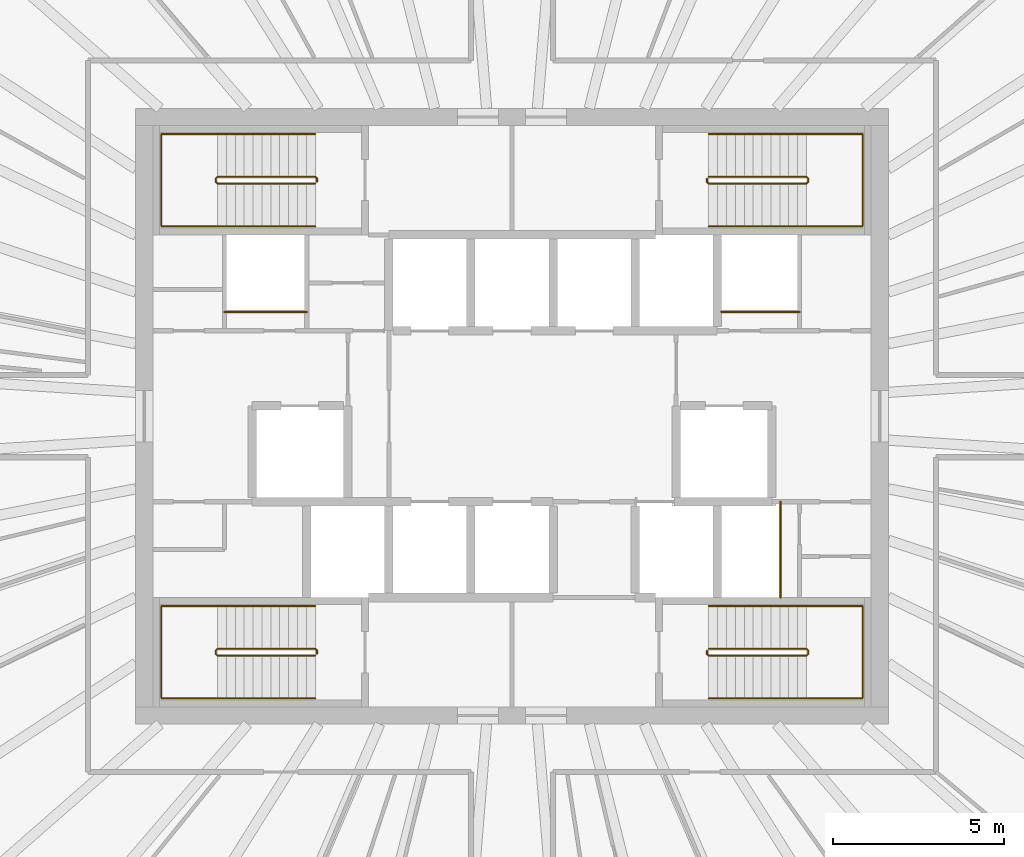
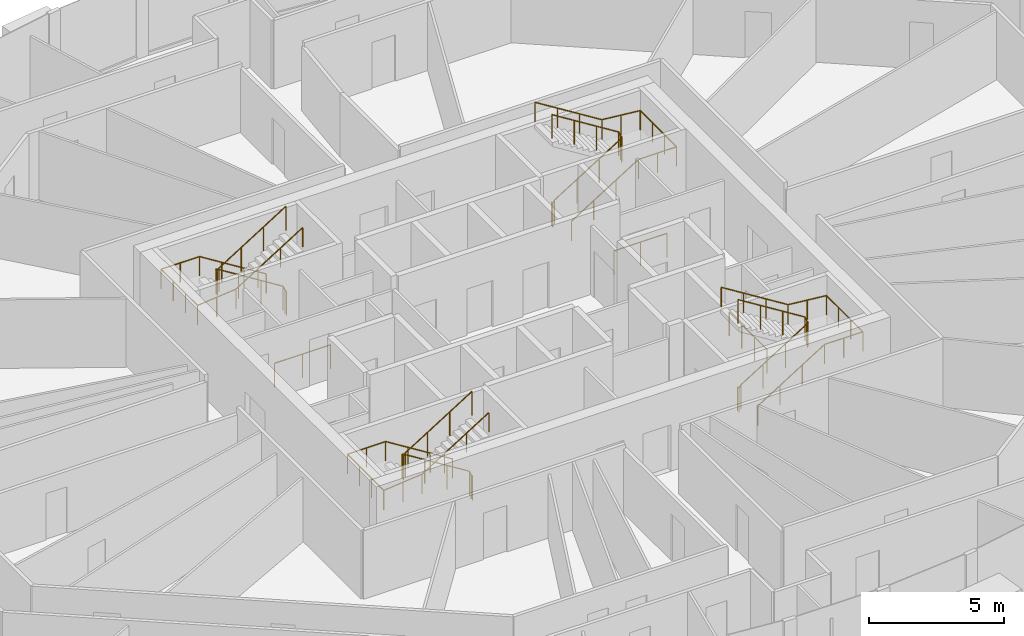
# One storey, part 12 of 12: 11 railings.
"""IFC4 building model written with IfcOpenShell, lengths in metres."""

from ifc_helpers import new_model, si_unit, direction, frame, origin, origin_2d, place, context, subcontext, project, spatial, circle, extrude, source, transform, mapped, material, type_object, element, save


model = new_model("IFC4")

# Units and contexts
model_context = context("Model", 3, precision=1e-05, world=origin(), true_north=direction((0.0, 1.0)))
body_context = subcontext(model_context, "Body", "Model", "MODEL_VIEW")
ifc_project = project(units=[si_unit("LENGTHUNIT", "METRE"), si_unit("AREAUNIT", "SQUARE_METRE"), si_unit("VOLUMEUNIT", "CUBIC_METRE"), si_unit("PLANEANGLEUNIT", "RADIAN"), si_unit("MASSUNIT", "GRAM", prefix="KILO")], contexts=[model_context])

# Site, building, storey
site_placement = place(None, origin())
site = spatial("IfcSite", under=ifc_project, at=site_placement, CompositionType="ELEMENT")
building_placement = place(site_placement, origin())
building = spatial("IfcBuilding", under=site, at=building_placement, Name="Embergate Tower", CompositionType="ELEMENT")
storey_placement = place(building_placement, frame((0.0, 0.0, 269.5)))
storey = spatial("IfcBuildingStorey", under=building, at=storey_placement, Name="L62", CompositionType="ELEMENT", Elevation=269.5)

# Railings
ifc_material_1 = material(Name="Stair guard 1100")
railing_type_1 = type_object("IfcRailingType", Name="Stair guard 1100", PredefinedType="GUARDRAIL", material=ifc_material_1)
shared_shape_1 = source(origin(), body_context, "Body", "SweptSolid", [
    extrude(circle(Radius=0.02392578125, at=origin_2d()), frame((0.0, 0.0, 1.076171875), z_axis=(0.0, 1.0, 0.0), x_axis=(-1.0, 0.0, 0.0)), (0.0, 0.0, 1.0), 0.099853515625),
    extrude(circle(Radius=0.02392578125, at=origin_2d()), frame((0.0, 0.099853515625, 1.076171875), z_axis=(-0.282227285176, 0.282227285176, 0.916894497205), x_axis=(-0.707106781187, -0.707106781187, 0.0)), (0.0, 0.0, 1.0), 0.17724609375),
    extrude(circle(Radius=0.02392578125, at=origin_2d()), frame((-0.050048828125, 0.14990234375, 1.23876953125), z_axis=(-0.848026770018, 0.0, 0.529953391661), x_axis=(0.0, -1.0, 0.0)), (0.0, 0.0, 1.0), 3.37255859375),
    extrude(circle(Radius=0.02392578125, at=origin_2d()), frame((-2.91015625, 0.14990234375, 3.02587890625), z_axis=(-0.705375805398, -0.708833529934, 0.0), x_axis=(0.708833529934, -0.705375805398, 0.0)), (0.0, 0.0, 1.0), 0.070556640625),
    extrude(circle(Radius=0.02392578125, at=origin_2d()), frame((-2.9599609375, 0.099853515625, 3.02587890625), z_axis=(0.0, -1.0, 0.0), x_axis=(1.0, 0.0, 0.0)), (0.0, 0.0, 1.0), 0.099853515625),
    extrude(circle(Radius=0.02392578125, at=origin_2d()), frame((-2.9599609375, 0.0, 3.02587890625), z_axis=(0.280959487676, -0.282336740067, 0.917250092119), x_axis=(0.708833529934, 0.705375805398, 0.0)), (0.0, 0.0, 1.0), 0.17724609375),
    extrude(circle(Radius=0.02392578125, at=origin_2d()), frame((-2.91015625, -0.050048828125, 3.1884765625), z_axis=(0.848026770018, 0.0, 0.529953391661), x_axis=(0.0, 1.0, 0.0)), (0.0, 0.0, 1.0), 3.37255859375),
    extrude(circle(Radius=0.02099609375, at=origin_2d()), origin(), (0.0, 0.0, 1.0), 1.052001953125),
    extrude(circle(Radius=0.02099609375, at=origin_2d()), frame((0.0, 0.099853515625, 0.0)), (0.0, 0.0, 1.0), 1.052001953125),
    extrude(circle(Radius=0.02099609375, at=origin_2d()), frame((-0.050048828125, 0.14990234375, 0.16259765625)), (0.0, 0.0, 1.0), 1.052001953125),
    extrude(circle(Radius=0.02099609375, at=origin_2d()), frame((-1.00341796875, 0.14990234375, 0.75830078125)), (0.0, 0.0, 1.0), 1.052001953125),
    extrude(circle(Radius=0.02099609375, at=origin_2d()), frame((-1.956787109375, 0.14990234375, 1.354248046875)), (0.0, 0.0, 1.0), 1.052001953125),
    extrude(circle(Radius=0.02099609375, at=origin_2d()), frame((-2.91015625, 0.14990234375, 1.949951171875)), (0.0, 0.0, 1.0), 1.052001953125),
    extrude(circle(Radius=0.02099609375, at=origin_2d()), frame((-2.9599609375, 0.099853515625, 1.949951171875)), (0.0, 0.0, 1.0), 1.052001953125),
    extrude(circle(Radius=0.02099609375, at=origin_2d()), frame((-2.9599609375, 0.0, 1.949951171875)), (0.0, 0.0, 1.0), 1.052001953125),
    extrude(circle(Radius=0.02099609375, at=origin_2d()), frame((-2.91015625, -0.050048828125, 2.112548828125)), (0.0, 0.0, 1.0), 1.052001953125),
    extrude(circle(Radius=0.02099609375, at=origin_2d()), frame((-1.956787109375, -0.050048828125, 2.708251953125)), (0.0, 0.0, 1.0), 1.052001953125),
    extrude(circle(Radius=0.02099609375, at=origin_2d()), frame((-1.00341796875, -0.050048828125, 3.30419921875)), (0.0, 0.0, 1.0), 1.052001953125),
    extrude(circle(Radius=0.02099609375, at=origin_2d()), frame((-0.050048828125, -0.050048828125, 3.89990234375)), (0.0, 0.0, 1.0), 1.052001953125),
])
for number, where, name in (
    (1, (-5.699951171875, 6.85009765625, 0.0), "L62 ST1 stair guard 1"),
    (2, (-5.699951171875, -6.949951171875, 0.0), "L62 ST3 stair guard 1"),
):
    element("IfcRailing", number, at=place(storey_placement, frame(where)), inside=storey, type_object=railing_type_1, Name=name, PredefinedType="GUARDRAIL", context=body_context, shape_type="MappedRepresentation", body=[
        mapped(shared_shape_1, transform((0.0, 0.0, 0.0))),
    ])
ifc_material_2 = material(Name="Stair handrail 900")
railing_type_2 = type_object("IfcRailingType", Name="Stair handrail 900", PredefinedType="HANDRAIL", material=ifc_material_2)
shared_shape_2 = source(origin(), body_context, "Body", "SweptSolid", [
    extrude(circle(Radius=0.02392578125, at=origin_2d()), frame((0.0, 0.0, 0.8759765625), z_axis=(-0.848026770018, 0.0, 0.529953391661), x_axis=(0.0, -1.0, 0.0)), (0.0, 0.0, 1.0), 3.37255859375),
    extrude(circle(Radius=0.02392578125, at=origin_2d()), frame((-2.860107421875, 0.0, 2.6630859375), z_axis=(-1.0, 0.0, 0.0), x_axis=(0.0, -1.0, 0.0)), (0.0, 0.0, 1.0), 1.639892578125),
    extrude(circle(Radius=0.02392578125, at=origin_2d()), frame((-4.5, 0.0, 2.6630859375), z_axis=(0.0, -1.0, 0.0), x_axis=(1.0, 0.0, 0.0)), (0.0, 0.0, 1.0), 2.699951171875),
    extrude(circle(Radius=0.02392578125, at=origin_2d()), frame((-4.5, -2.699951171875, 2.6630859375), z_axis=(0.995120448088, 0.0, 0.098667592441), x_axis=(0.0, 1.0, 0.0)), (0.0, 0.0, 1.0), 1.64794921875),
    extrude(circle(Radius=0.02392578125, at=origin_2d()), frame((-2.860107421875, -2.699951171875, 2.82568359375), z_axis=(0.848026770018, 0.0, 0.529953391661), x_axis=(0.0, 1.0, 0.0)), (0.0, 0.0, 1.0), 3.37255859375),
    extrude(circle(Radius=0.02099609375, at=origin_2d()), origin(), (0.0, 0.0, 1.0), 0.851806640625),
    extrude(circle(Radius=0.02099609375, at=origin_2d()), frame((-0.953369140625, 0.0, 0.595703125)), (0.0, 0.0, 1.0), 0.851806640625),
    extrude(circle(Radius=0.02099609375, at=origin_2d()), frame((-1.90673828125, 0.0, 1.191650390625)), (0.0, 0.0, 1.0), 0.851806640625),
    extrude(circle(Radius=0.02099609375, at=origin_2d()), frame((-2.860107421875, 0.0, 1.787353515625)), (0.0, 0.0, 1.0), 0.851806640625),
    extrude(circle(Radius=0.02099609375, at=origin_2d()), frame((-3.68017578125, 0.0, 1.787353515625)), (0.0, 0.0, 1.0), 0.851806640625),
    extrude(circle(Radius=0.02099609375, at=origin_2d()), frame((-4.5, 0.0, 1.787353515625)), (0.0, 0.0, 1.0), 0.851806640625),
    extrude(circle(Radius=0.02099609375, at=origin_2d()), frame((-4.5, -0.89990234375, 1.787353515625)), (0.0, 0.0, 1.0), 0.851806640625),
    extrude(circle(Radius=0.02099609375, at=origin_2d()), frame((-4.5, -1.800048828125, 1.787353515625)), (0.0, 0.0, 1.0), 0.851806640625),
    extrude(circle(Radius=0.02099609375, at=origin_2d()), frame((-4.5, -2.699951171875, 1.787353515625)), (0.0, 0.0, 1.0), 0.851806640625),
    extrude(circle(Radius=0.02099609375, at=origin_2d()), frame((-3.68017578125, -2.699951171875, 1.86865234375)), (0.0, 0.0, 1.0), 0.851806640625),
    extrude(circle(Radius=0.02099609375, at=origin_2d()), frame((-2.860107421875, -2.699951171875, 1.949951171875)), (0.0, 0.0, 1.0), 0.851806640625),
    extrude(circle(Radius=0.02099609375, at=origin_2d()), frame((-1.90673828125, -2.699951171875, 2.545654296875)), (0.0, 0.0, 1.0), 0.851806640625),
    extrude(circle(Radius=0.02099609375, at=origin_2d()), frame((-0.953369140625, -2.699951171875, 3.1416015625)), (0.0, 0.0, 1.0), 0.851806640625),
    extrude(circle(Radius=0.02099609375, at=origin_2d()), frame((0.0, -2.699951171875, 3.7373046875)), (0.0, 0.0, 1.0), 0.851806640625),
])
for number, where, name in (
    (3, (-5.75, 8.25, 0.16259765625), "L62 ST1 stair handrail 1"),
    (4, (-5.75, -5.550048828125, 0.16259765625), "L62 ST3 stair handrail 1"),
):
    element("IfcRailing", number, at=place(storey_placement, frame(where)), inside=storey, type_object=railing_type_2, Name=name, PredefinedType="HANDRAIL", context=body_context, shape_type="MappedRepresentation", body=[
        mapped(shared_shape_2, transform((0.0, 0.0, 0.0))),
    ])
shared_shape_3 = source(origin(), body_context, "Body", "SweptSolid", [
    extrude(circle(Radius=0.02392578125, at=origin_2d()), frame((0.0, 0.0, 1.076171875), z_axis=(0.0, -1.0, 0.0), x_axis=(1.0, 0.0, 0.0)), (0.0, 0.0, 1.0), 0.099853515625),
    extrude(circle(Radius=0.02392578125, at=origin_2d()), frame((0.0, -0.099853515625, 1.076171875), z_axis=(0.282227285176, -0.282227285176, 0.916894497205), x_axis=(0.707106781187, 0.707106781187, 0.0)), (0.0, 0.0, 1.0), 0.17724609375),
    extrude(circle(Radius=0.02392578125, at=origin_2d()), frame((0.050048828125, -0.14990234375, 1.23876953125), z_axis=(0.848026770018, 0.0, 0.529953391661), x_axis=(0.0, 1.0, 0.0)), (0.0, 0.0, 1.0), 3.37255859375),
    extrude(circle(Radius=0.02392578125, at=origin_2d()), frame((2.91015625, -0.14990234375, 3.02587890625), z_axis=(0.705375805398, 0.708833529934, 0.0), x_axis=(-0.708833529934, 0.705375805398, 0.0)), (0.0, 0.0, 1.0), 0.070556640625),
    extrude(circle(Radius=0.02392578125, at=origin_2d()), frame((2.9599609375, -0.099853515625, 3.02587890625), z_axis=(0.0, 1.0, 0.0), x_axis=(-1.0, 0.0, 0.0)), (0.0, 0.0, 1.0), 0.099853515625),
    extrude(circle(Radius=0.02392578125, at=origin_2d()), frame((2.9599609375, 0.0, 3.02587890625), z_axis=(-0.280959487676, 0.282336740067, 0.917250092119), x_axis=(-0.708833529934, -0.705375805398, 0.0)), (0.0, 0.0, 1.0), 0.17724609375),
    extrude(circle(Radius=0.02392578125, at=origin_2d()), frame((2.91015625, 0.050048828125, 3.1884765625), z_axis=(-0.848026770018, 0.0, 0.529953391661), x_axis=(0.0, -1.0, 0.0)), (0.0, 0.0, 1.0), 3.37255859375),
    extrude(circle(Radius=0.02099609375, at=origin_2d()), origin(), (0.0, 0.0, 1.0), 1.052001953125),
    extrude(circle(Radius=0.02099609375, at=origin_2d()), frame((0.0, -0.099853515625, 0.0)), (0.0, 0.0, 1.0), 1.052001953125),
    extrude(circle(Radius=0.02099609375, at=origin_2d()), frame((0.050048828125, -0.14990234375, 0.16259765625)), (0.0, 0.0, 1.0), 1.052001953125),
    extrude(circle(Radius=0.02099609375, at=origin_2d()), frame((1.00341796875, -0.14990234375, 0.75830078125)), (0.0, 0.0, 1.0), 1.052001953125),
    extrude(circle(Radius=0.02099609375, at=origin_2d()), frame((1.956787109375, -0.14990234375, 1.354248046875)), (0.0, 0.0, 1.0), 1.052001953125),
    extrude(circle(Radius=0.02099609375, at=origin_2d()), frame((2.91015625, -0.14990234375, 1.949951171875)), (0.0, 0.0, 1.0), 1.052001953125),
    extrude(circle(Radius=0.02099609375, at=origin_2d()), frame((2.9599609375, -0.099853515625, 1.949951171875)), (0.0, 0.0, 1.0), 1.052001953125),
    extrude(circle(Radius=0.02099609375, at=origin_2d()), frame((2.9599609375, 0.0, 1.949951171875)), (0.0, 0.0, 1.0), 1.052001953125),
    extrude(circle(Radius=0.02099609375, at=origin_2d()), frame((2.91015625, 0.050048828125, 2.112548828125)), (0.0, 0.0, 1.0), 1.052001953125),
    extrude(circle(Radius=0.02099609375, at=origin_2d()), frame((1.956787109375, 0.050048828125, 2.708251953125)), (0.0, 0.0, 1.0), 1.052001953125),
    extrude(circle(Radius=0.02099609375, at=origin_2d()), frame((1.00341796875, 0.050048828125, 3.30419921875)), (0.0, 0.0, 1.0), 1.052001953125),
    extrude(circle(Radius=0.02099609375, at=origin_2d()), frame((0.050048828125, 0.050048828125, 3.89990234375)), (0.0, 0.0, 1.0), 1.052001953125),
])
for number, where, name in (
    (5, (5.699951171875, 6.949951171875, 0.0), "L62 ST2 stair guard 1"),
    (6, (5.699951171875, -6.85009765625, 0.0), "L62 ST4 stair guard 1"),
):
    element("IfcRailing", number, at=place(storey_placement, frame(where)), inside=storey, type_object=railing_type_1, Name=name, PredefinedType="GUARDRAIL", context=body_context, shape_type="MappedRepresentation", body=[
        mapped(shared_shape_3, transform((0.0, 0.0, 0.0))),
    ])
shared_shape_4 = source(origin(), body_context, "Body", "SweptSolid", [
    extrude(circle(Radius=0.02392578125, at=origin_2d()), frame((0.0, 0.0, 0.8759765625), z_axis=(0.848026770018, 0.0, 0.529953391661), x_axis=(0.0, 1.0, 0.0)), (0.0, 0.0, 1.0), 3.37255859375),
    extrude(circle(Radius=0.02392578125, at=origin_2d()), frame((2.860107421875, 0.0, 2.6630859375), z_axis=(1.0, 0.0, 0.0), x_axis=(0.0, 1.0, 0.0)), (0.0, 0.0, 1.0), 1.639892578125),
    extrude(circle(Radius=0.02392578125, at=origin_2d()), frame((4.5, 0.0, 2.6630859375), z_axis=(0.0, 1.0, 0.0), x_axis=(-1.0, 0.0, 0.0)), (0.0, 0.0, 1.0), 2.699951171875),
    extrude(circle(Radius=0.02392578125, at=origin_2d()), frame((4.5, 2.699951171875, 2.6630859375), z_axis=(-0.995120448088, 0.0, 0.098667592441), x_axis=(0.0, -1.0, 0.0)), (0.0, 0.0, 1.0), 1.64794921875),
    extrude(circle(Radius=0.02392578125, at=origin_2d()), frame((2.860107421875, 2.699951171875, 2.82568359375), z_axis=(-0.848026770018, 0.0, 0.529953391661), x_axis=(0.0, -1.0, 0.0)), (0.0, 0.0, 1.0), 3.37255859375),
    extrude(circle(Radius=0.02099609375, at=origin_2d()), origin(), (0.0, 0.0, 1.0), 0.851806640625),
    extrude(circle(Radius=0.02099609375, at=origin_2d()), frame((0.953369140625, 0.0, 0.595703125)), (0.0, 0.0, 1.0), 0.851806640625),
    extrude(circle(Radius=0.02099609375, at=origin_2d()), frame((1.90673828125, 0.0, 1.191650390625)), (0.0, 0.0, 1.0), 0.851806640625),
    extrude(circle(Radius=0.02099609375, at=origin_2d()), frame((2.860107421875, 0.0, 1.787353515625)), (0.0, 0.0, 1.0), 0.851806640625),
    extrude(circle(Radius=0.02099609375, at=origin_2d()), frame((3.68017578125, 0.0, 1.787353515625)), (0.0, 0.0, 1.0), 0.851806640625),
    extrude(circle(Radius=0.02099609375, at=origin_2d()), frame((4.5, 0.0, 1.787353515625)), (0.0, 0.0, 1.0), 0.851806640625),
    extrude(circle(Radius=0.02099609375, at=origin_2d()), frame((4.5, 0.89990234375, 1.787353515625)), (0.0, 0.0, 1.0), 0.851806640625),
    extrude(circle(Radius=0.02099609375, at=origin_2d()), frame((4.5, 1.800048828125, 1.787353515625)), (0.0, 0.0, 1.0), 0.851806640625),
    extrude(circle(Radius=0.02099609375, at=origin_2d()), frame((4.5, 2.699951171875, 1.787353515625)), (0.0, 0.0, 1.0), 0.851806640625),
    extrude(circle(Radius=0.02099609375, at=origin_2d()), frame((3.68017578125, 2.699951171875, 1.86865234375)), (0.0, 0.0, 1.0), 0.851806640625),
    extrude(circle(Radius=0.02099609375, at=origin_2d()), frame((2.860107421875, 2.699951171875, 1.949951171875)), (0.0, 0.0, 1.0), 0.851806640625),
    extrude(circle(Radius=0.02099609375, at=origin_2d()), frame((1.90673828125, 2.699951171875, 2.545654296875)), (0.0, 0.0, 1.0), 0.851806640625),
    extrude(circle(Radius=0.02099609375, at=origin_2d()), frame((0.953369140625, 2.699951171875, 3.1416015625)), (0.0, 0.0, 1.0), 0.851806640625),
    extrude(circle(Radius=0.02099609375, at=origin_2d()), frame((0.0, 2.699951171875, 3.7373046875)), (0.0, 0.0, 1.0), 0.851806640625),
])
for number, where, name in (
    (7, (5.75, 5.550048828125, 0.16259765625), "L62 ST2 stair handrail 1"),
    (8, (5.75, -8.25, 0.16259765625), "L62 ST4 stair handrail 1"),
):
    element("IfcRailing", number, at=place(storey_placement, frame(where)), inside=storey, type_object=railing_type_2, Name=name, PredefinedType="HANDRAIL", context=body_context, shape_type="MappedRepresentation", body=[
        mapped(shared_shape_4, transform((0.0, 0.0, 0.0))),
    ])
ifc_material_3 = material(Name="Opening guard 1100")
railing_type_3 = type_object("IfcRailingType", Name="Opening guard 1100", PredefinedType="GUARDRAIL", material=ifc_material_3)
shared_shape_5 = source(origin(), body_context, "Body", "SweptSolid", [
    extrude(circle(Radius=0.02392578125, at=origin_2d()), frame((0.0, 0.0, 1.076171875), z_axis=(1.0, 0.0, 0.0), x_axis=(0.0, 1.0, 0.0)), (0.0, 0.0, 1.0), 2.27490234375),
    extrude(circle(Radius=0.02099609375, at=origin_2d()), origin(), (0.0, 0.0, 1.0), 1.052001953125),
    extrude(circle(Radius=0.02099609375, at=origin_2d()), frame((1.137451171875, 0.0, 0.0)), (0.0, 0.0, 1.0), 1.052001953125),
    extrude(circle(Radius=0.02099609375, at=origin_2d()), frame((2.27490234375, 0.0, 0.0)), (0.0, 0.0, 1.0), 1.052001953125),
])
railing_1_placement = place(storey_placement, frame((6.125, 3.050048828125, 0.0)))
element("IfcRailing", 9, at=railing_1_placement, inside=storey, type_object=railing_type_3, Name="Riser opening guard", PredefinedType="GUARDRAIL", context=body_context, shape_type="MappedRepresentation", body=[
    mapped(shared_shape_5, transform((0.0, 0.0, 0.0))),
])
shared_shape_6 = source(origin(), body_context, "Body", "SweptSolid", [
    extrude(circle(Radius=0.02392578125, at=origin_2d()), frame((0.0, 0.0, 1.076171875), z_axis=(0.0, 1.0, 0.0), x_axis=(-1.0, 0.0, 0.0)), (0.0, 0.0, 1.0), 2.800048828125),
    extrude(circle(Radius=0.02099609375, at=origin_2d()), origin(), (0.0, 0.0, 1.0), 1.052001953125),
    extrude(circle(Radius=0.02099609375, at=origin_2d()), frame((0.0, 0.933349609375, 0.0)), (0.0, 0.0, 1.0), 1.052001953125),
    extrude(circle(Radius=0.02099609375, at=origin_2d()), frame((0.0, 1.86669921875, 0.0)), (0.0, 0.0, 1.0), 1.052001953125),
    extrude(circle(Radius=0.02099609375, at=origin_2d()), frame((0.0, 2.800048828125, 0.0)), (0.0, 0.0, 1.0), 1.052001953125),
])
railing_2_placement = place(storey_placement, frame((7.85009765625, -5.300048828125, 0.0)))
element("IfcRailing", 10, at=railing_2_placement, inside=storey, type_object=railing_type_3, Name="Riser opening guard", PredefinedType="GUARDRAIL", context=body_context, shape_type="MappedRepresentation", body=[
    mapped(shared_shape_6, transform((0.0, 0.0, 0.0))),
])
shared_shape_7 = source(origin(), body_context, "Body", "SweptSolid", [
    extrude(circle(Radius=0.02392578125, at=origin_2d()), frame((0.0, 0.0, 1.076171875), z_axis=(1.0, 0.0, 0.0), x_axis=(0.0, 1.0, 0.0)), (0.0, 0.0, 1.0), 2.39990234375),
    extrude(circle(Radius=0.02099609375, at=origin_2d()), origin(), (0.0, 0.0, 1.0), 1.052001953125),
    extrude(circle(Radius=0.02099609375, at=origin_2d()), frame((1.199951171875, 0.0, 0.0)), (0.0, 0.0, 1.0), 1.052001953125),
    extrude(circle(Radius=0.02099609375, at=origin_2d()), frame((2.39990234375, 0.0, 0.0)), (0.0, 0.0, 1.0), 1.052001953125),
])
railing_3_placement = place(storey_placement, frame((-8.39990234375, 3.050048828125, 0.0)))
element("IfcRailing", 11, at=railing_3_placement, inside=storey, type_object=railing_type_3, Name="Riser opening guard", PredefinedType="GUARDRAIL", context=body_context, shape_type="MappedRepresentation", body=[
    mapped(shared_shape_7, transform((0.0, 0.0, 0.0))),
])

save(model, "model.ifc")
